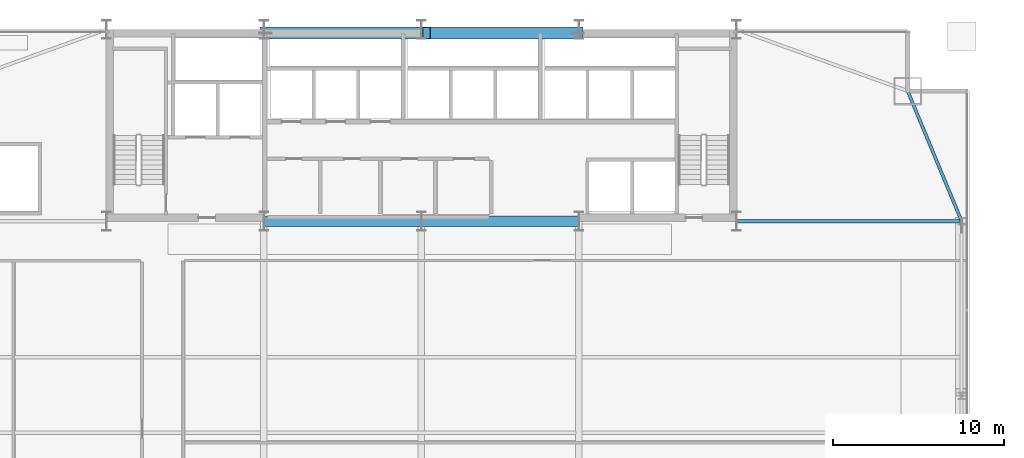
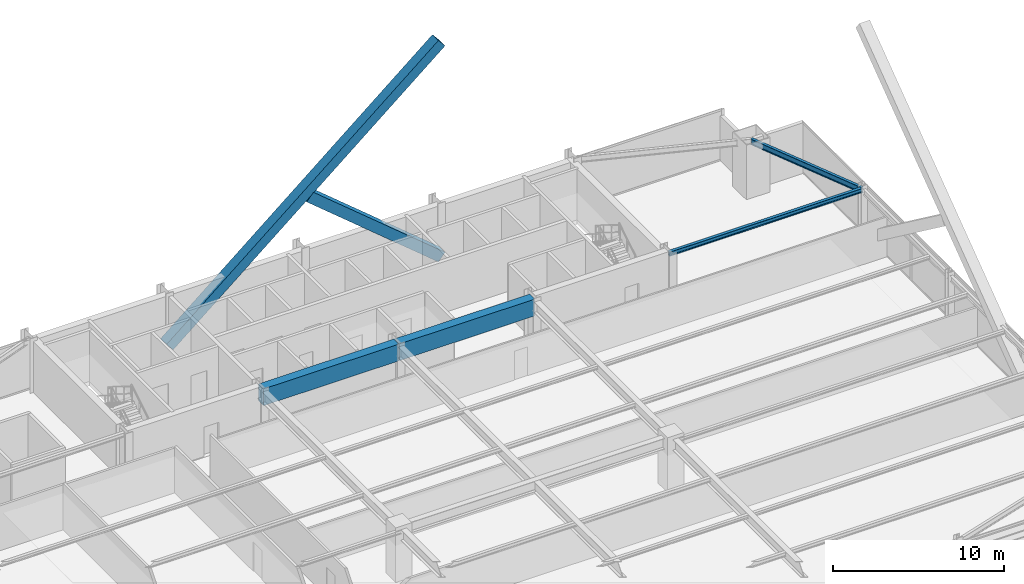
# One storey, part 20 of 34: 4 beams, 2 members.
"""IFC4 building model written with IfcOpenShell, lengths in metres."""

import ifcopenshell
import ifcopenshell.guid

model = None  # the IFC model being written
_history = None  # IfcOwnerHistory: only IFC2X3 demands one
_inside = {}  # id of a spatial element -> (the spatial element, [elements in it])
_under = {}  # id of a project, library or spatial element -> (it, [spatial elements below it])
_declared = {}  # id of a project -> (the project, [libraries it declares])
_typed = {}  # id of a type object -> (the type object, [elements of that type])
_made_of = {}  # id of a material, layer set ... -> (it, [elements and type objects made of it])


def new_model(schema):
    """Start an empty IFC model of exactly this schema.

    Asked for "IFC4X3", IfcOpenShell would pick the latest addendum, in which some entities
    have other attributes; the version numbers below select the first issue.
    IFC2X3 requires an IfcOwnerHistory on every rooted entity: one is made here for all.
    """
    global model, _history
    if schema == "IFC4X3":
        model = ifcopenshell.file(schema_version=(4, 3, 0, 0))
    else:
        model = ifcopenshell.file(schema=schema)
    _inside.clear()
    _under.clear()
    _declared.clear()
    _typed.clear()
    _made_of.clear()
    _history = None
    if model.schema == "IFC2X3":
        org = make("IfcOrganization", Name="unknown")
        user = make(
            "IfcPersonAndOrganization",
            ThePerson=make("IfcPerson", FamilyName="unknown"),
            TheOrganization=org,
        )
        app = make(
            "IfcApplication",
            ApplicationDeveloper=org,
            Version="unknown",
            ApplicationFullName="unknown",
            ApplicationIdentifier="unknown",
        )
        _history = make(
            "IfcOwnerHistory",
            OwningUser=user,
            OwningApplication=app,
            ChangeAction="ADDED",
            CreationDate=0,
        )
    return model


def make(cls, **values):
    """One entity of the class cls with the attributes given. An attribute that is None is left unset."""
    return model.create_entity(
        cls, **{name: value for name, value in values.items() if value is not None}
    )


def rooted(cls, **values):
    """An entity with a GlobalId (a new one), such as an element, a storey or a relation."""
    return make(cls, GlobalId=ifcopenshell.guid.new(), OwnerHistory=_history, **values)


def si_unit(unit_type, name, prefix=None):
    """IfcSIUnit, for example si_unit("LENGTHUNIT", "METRE", prefix="MILLI")."""
    return make("IfcSIUnit", UnitType=unit_type, Prefix=prefix, Name=name)


def assignment(units):
    """IfcUnitAssignment: the units of a project."""
    return None if units is None else make("IfcUnitAssignment", Units=units)


def point(xyz):
    """IfcCartesianPoint."""
    return None if xyz is None else make("IfcCartesianPoint", Coordinates=xyz)


def direction(xyz):
    """IfcDirection."""
    return None if xyz is None else make("IfcDirection", DirectionRatios=xyz)


def frame(location, z_axis=None, x_axis=None):
    """IfcAxis2Placement3D, a coordinate frame: its origin and axes. An axis left out is left unset."""
    return make(
        "IfcAxis2Placement3D",
        Location=point(location),
        Axis=direction(z_axis),
        RefDirection=direction(x_axis),
    )


def frame_2d(location, x_axis=None):
    """IfcAxis2Placement2D, a coordinate frame in the plane: its origin and x axis."""
    return make(
        "IfcAxis2Placement2D", Location=point(location), RefDirection=direction(x_axis)
    )


def origin():
    """The frame at (0, 0, 0) with its axes left unset."""
    return frame((0.0, 0.0, 0.0))


def origin_2d():
    """The frame at (0, 0) in the plane with its x axis left unset."""
    return frame_2d((0.0, 0.0))


def place(relative_to, where):
    """IfcLocalPlacement: puts the frame where relative to a parent placement (None: the world)."""
    return make(
        "IfcLocalPlacement", PlacementRelTo=relative_to, RelativePlacement=where
    )


def context(
    kind, dimensions, precision=None, world=None, true_north=None, identifier=None
):
    """IfcGeometricRepresentationContext, for example the 3D "Model" context."""
    return make(
        "IfcGeometricRepresentationContext",
        ContextIdentifier=identifier,
        ContextType=kind,
        CoordinateSpaceDimension=dimensions,
        Precision=precision,
        WorldCoordinateSystem=world,
        TrueNorth=true_north,
    )


def subcontext(parent, identifier, kind, view, scale=None):
    """IfcGeometricRepresentationSubContext, for example "Body" below "Model"."""
    return make(
        "IfcGeometricRepresentationSubContext",
        ContextIdentifier=identifier,
        ContextType=kind,
        ParentContext=parent,
        TargetScale=scale,
        TargetView=view,
    )


def project(units=None, contexts=None):
    """IfcProject with its units and contexts."""
    return rooted(
        "IfcProject",
        Name="project",
        RepresentationContexts=contexts,
        UnitsInContext=assignment(units),
    )


def spatial(cls, under=None, at=None, **own):
    """A site, building, storey or space (cls), placed at a placement, below another one or the project."""
    s = rooted(cls, ObjectPlacement=at, **own)
    if under is not None:
        _under.setdefault(under.id(), (under, []))[1].append(s)
    return s


def profile(cls, at=None, kind="AREA", **sizes):
    """A parametric profile (cls). Its sizes go by their IFC names, for example OverallWidth=200.0."""
    return make(cls, ProfileType=kind, Position=at, **sizes)


def rectangle(**sizes):
    """IfcRectangleProfileDef."""
    return profile("IfcRectangleProfileDef", **sizes)


def hollow_rectangle(**sizes):
    """IfcRectangleHollowProfileDef."""
    return profile("IfcRectangleHollowProfileDef", **sizes)


def i_section(**sizes):
    """IfcIShapeProfileDef."""
    return profile("IfcIShapeProfileDef", **sizes)


def extrude(swept, where, along, depth):
    """IfcExtrudedAreaSolid: the profile swept, set in the frame where, extruded along a direction by depth."""
    return make(
        "IfcExtrudedAreaSolid",
        SweptArea=swept,
        Position=where,
        ExtrudedDirection=direction(along),
        Depth=depth,
    )


def shape(context_of_items, identifier, shape_type, items):
    """IfcShapeRepresentation: the items that make up one representation, for example the "Body"."""
    return make(
        "IfcShapeRepresentation",
        ContextOfItems=context_of_items,
        RepresentationIdentifier=identifier,
        RepresentationType=shape_type,
        Items=items,
    )


def source(mapping_origin, context_of_items, identifier, shape_type, items):
    """IfcRepresentationMap: a shape defined once, which mapped items show again and again."""
    return make(
        "IfcRepresentationMap",
        MappingOrigin=mapping_origin,
        MappedRepresentation=shape(context_of_items, identifier, shape_type, items),
    )


def transform(
    local_origin,
    x_axis=None,
    y_axis=None,
    z_axis=None,
    scale=None,
    scale2=None,
    scale3=None,
    uniform=True,
):
    """IfcCartesianTransformationOperator3D, or its non-uniform kind. x_axis, y_axis, z_axis: its Axis1, 2, 3."""
    if uniform:
        return make(
            "IfcCartesianTransformationOperator3D",
            Axis1=direction(x_axis),
            Axis2=direction(y_axis),
            LocalOrigin=point(local_origin),
            Scale=scale,
            Axis3=direction(z_axis),
        )
    return make(
        "IfcCartesianTransformationOperator3DnonUniform",
        Axis1=direction(x_axis),
        Axis2=direction(y_axis),
        LocalOrigin=point(local_origin),
        Scale=scale,
        Axis3=direction(z_axis),
        Scale2=scale2,
        Scale3=scale3,
    )


def mapped(mapping_source, mapping_target):
    """IfcMappedItem: shows the shape of a source again, moved by a transform."""
    return make(
        "IfcMappedItem", MappingSource=mapping_source, MappingTarget=mapping_target
    )


def material(Name=None, Category=None):
    """IfcMaterial."""
    return make("IfcMaterial", Name=Name, Category=Category)


def material_profile(
    of_material, cross_section, Name=None, Category=None, Priority=None
):
    """IfcMaterialProfile: a cross section and its material."""
    return make(
        "IfcMaterialProfile",
        Name=Name,
        Material=of_material,
        Profile=cross_section,
        Priority=Priority,
        Category=Category,
    )


def profile_set(profiles, Name=None, composite=None):
    """IfcMaterialProfileSet."""
    return make(
        "IfcMaterialProfileSet",
        Name=Name,
        MaterialProfiles=profiles,
        CompositeProfile=composite,
    )


def made_of(thing, what):
    """Note that an element or type object is made of a material, layer set ...; save() writes the relation."""
    if what is not None:
        _made_of.setdefault(what.id(), (what, []))[1].append(thing)
    return thing


def type_object(cls, material=None, **own):
    """A type object (cls), such as IfcWallType, which elements share."""
    return made_of(rooted(cls, **own), material)


def type_shapes(of_type, sources):
    """Give a type object the sources (RepresentationMaps) that its elements show as mapped items."""
    of_type.RepresentationMaps = sources


def element(
    cls,
    number,
    at=None,
    inside=None,
    cuts=None,
    type_object=None,
    material=None,
    context=None,
    identifier="Body",
    shape_type=None,
    held_by="IfcProductDefinitionShape",
    body=None,
    shapes=None,
    **own,
):
    """One element of the class cls, such as IfcWall. Its Tag is "e" and its number.

    at: its placement. inside: the storey or other place that contains it. cuts: it is an
    opening in that element (IfcRelVoidsElement). A single representation is given by context,
    identifier, shape_type and body (its items); several are given by shapes. held_by: the class
    of the entity that holds the representations. save() writes the other relations.
    """
    e = rooted(cls, Tag="e%d" % number, ObjectPlacement=at, **own)
    if body is not None:
        shapes = [shape(context, identifier, shape_type, body)]
    if shapes is not None:
        e.Representation = make(held_by, Representations=shapes)
    if inside is not None:
        _inside.setdefault(inside.id(), (inside, []))[1].append(e)
    if cuts is not None:
        rooted(
            "IfcRelVoidsElement", RelatingBuildingElement=cuts, RelatedOpeningElement=e
        )
    if type_object is not None:
        _typed.setdefault(type_object.id(), (type_object, []))[1].append(e)
    return made_of(e, material)


def aggregate(whole, parts):
    """IfcRelAggregates: a whole, such as a stair, and the parts it consists of."""
    return rooted("IfcRelAggregates", RelatingObject=whole, RelatedObjects=parts)


def save(model, path):
    """Write the relations noted so far, then the file.

    IfcRelAggregates (storeys below a building ...), IfcRelContainedInSpatialStructure (elements
    in a storey), IfcRelDefinesByType, IfcRelAssociatesMaterial and IfcRelDeclares: one each for
    every whole, place, type object, material and project.
    """
    for whole, parts in _under.values():
        aggregate(whole, parts)
    for where, things in _inside.values():
        rooted(
            "IfcRelContainedInSpatialStructure",
            RelatedElements=things,
            RelatingStructure=where,
        )
    for kind, things in _typed.values():
        rooted("IfcRelDefinesByType", RelatedObjects=things, RelatingType=kind)
    for what, things in _made_of.values():
        rooted("IfcRelAssociatesMaterial", RelatedObjects=things, RelatingMaterial=what)
    for by, libraries in _declared.values():
        rooted("IfcRelDeclares", RelatingContext=by, RelatedDefinitions=libraries)
    model.write(path)


model = new_model("IFC4")

# Units and contexts
model_context = context("Model", 3, precision=1e-05, world=origin(), true_north=direction((0.0, 1.0)))
body_context = subcontext(model_context, "Body", "Model", "MODEL_VIEW")
ifc_project = project(units=[si_unit("LENGTHUNIT", "METRE"), si_unit("AREAUNIT", "SQUARE_METRE"), si_unit("VOLUMEUNIT", "CUBIC_METRE"), si_unit("PLANEANGLEUNIT", "RADIAN"), si_unit("MASSUNIT", "GRAM", prefix="KILO")], contexts=[model_context])

# Site, building, storey
site_placement = place(None, origin())
site = spatial("IfcSite", under=ifc_project, at=site_placement, CompositionType="ELEMENT")
building_placement = place(site_placement, origin())
building = spatial("IfcBuilding", under=site, at=building_placement, Name="Varnel Quay Broadcast Tower", CompositionType="ELEMENT")
storey_placement = place(building_placement, frame((0.0, 0.0, 27.60009765625)))
storey = spatial("IfcBuildingStorey", under=building, at=storey_placement, Name="L05", CompositionType="ELEMENT", Elevation=27.60009765625)

# Beams
ifc_material_1 = material(Name="Structural Steel CSA G40.21 350W", Category="steel")
ifc_material_profile_1 = material_profile(ifc_material_1, i_section(OverallWidth=0.180908203125, OverallDepth=0.4169921875, WebThickness=0.010986328125, FlangeThickness=0.018310546875, FilletRadius=0.011962890625, at=origin_2d()), Name="W410X85")
ifc_profile_set_1 = profile_set([ifc_material_profile_1], Name="Structural Steel CSA G40.21 350W")
beam_type_1 = type_object("IfcBeamType", Name="Beam_W410X85", PredefinedType="SPANDREL", material=ifc_profile_set_1)
shared_shape_1 = source(origin(), body_context, "Body", "SweptSolid", [
    extrude(i_section(OverallWidth=0.180908203125, OverallDepth=0.4169921875, WebThickness=0.010986328125, FlangeThickness=0.018310546875, FilletRadius=0.011962890625, at=origin_2d()), origin(), (0.0, 0.0, 1.0), 8.186767578125),
])
type_shapes(beam_type_1, [shared_shape_1])
beam_1_placement = place(storey_placement, frame((65.542236328125, 35.618408203125, 3.44140625), z_axis=(-0.382874132092, 0.923800519038, 0.0), x_axis=(-0.923800519038, -0.382874132092, 0.0)))
element("IfcBeam", 1, at=beam_1_placement, inside=storey, type_object=beam_type_1, Name="L05 East Spandrel TC-E3-MC-NE", PredefinedType="SPANDREL", context=body_context, shape_type="MappedRepresentation", body=[
    mapped(shared_shape_1, transform((0.0, 0.0, 0.0), x_axis=(1.0, 0.0, 0.0), y_axis=(0.0, 1.0, 0.0), z_axis=(0.0, 0.0, 1.0), scale=1.0)),
])
ifc_material_2 = material(Name="Concrete CSA A23.3 C60/75", Category="concrete")
ifc_material_profile_2 = material_profile(ifc_material_2, rectangle(XDim=0.60009765625, YDim=1.199951171875, at=origin_2d()), Name="RC600X1200")
ifc_profile_set_2 = profile_set([ifc_material_profile_2], Name="Concrete CSA A23.3 C60/75")
beam_type_2 = type_object("IfcBeamType", Name="Beam_RC600X1200", PredefinedType="BEAM", material=ifc_profile_set_2)
shared_shape_2 = source(origin(), body_context, "Body", "SweptSolid", [
    extrude(rectangle(XDim=0.60009765625, YDim=1.199951171875, at=origin_2d()), origin(), (0.0, 0.0, 1.0), 9.159912109375),
])
type_shapes(beam_type_2, [shared_shape_2])
for number, where, z_axis, x_axis, name in (
    (2, (24.820068359375, 35.60009765625, 3.0498046875), (1.0, 0.0, 0.0), (0.0, 1.0, 0.0), "L05 Core Coupling Beam W"),
    (3, (34.02001953125, 35.60009765625, 3.0498046875), (1.0, 0.0, 0.0), (0.0, 1.0, 0.0), "L05 Core Coupling Beam E"),
):
    element("IfcBeam", number, at=place(storey_placement, frame(where, z_axis=z_axis, x_axis=x_axis)), inside=storey, type_object=beam_type_2, Name=name, PredefinedType="BEAM", context=body_context, shape_type="MappedRepresentation", body=[
        mapped(shared_shape_2, transform((0.0, 0.0, 0.0), x_axis=(1.0, 0.0, 0.0), y_axis=(0.0, 1.0, 0.0), z_axis=(0.0, 0.0, 1.0), scale=1.0)),
    ])
ifc_material_profile_3 = material_profile(ifc_material_1, i_section(OverallWidth=0.202880859375, OverallDepth=0.302978515625, WebThickness=0.007568359375, FlangeThickness=0.01318359375, FilletRadius=0.011962890625, at=origin_2d()), Name="W310X60")
ifc_profile_set_3 = profile_set([ifc_material_profile_3], Name="Structural Steel CSA G40.21 350W")
beam_type_3 = type_object("IfcBeamType", Name="Beam_W310X60", PredefinedType="JOIST", material=ifc_profile_set_3)
shared_shape_3 = source(origin(), body_context, "Body", "SweptSolid", [
    extrude(i_section(OverallWidth=0.202880859375, OverallDepth=0.302978515625, WebThickness=0.007568359375, FlangeThickness=0.01318359375, FilletRadius=0.011962890625, at=origin_2d()), origin(), (0.0, 0.0, 1.0), 13.110107421875),
])
type_shapes(beam_type_3, [shared_shape_3])
beam_2_placement = place(storey_placement, frame((52.419921875, 35.60009765625, 3.498291015625), z_axis=(1.0, 0.0, 0.0), x_axis=(0.0, 1.0, 0.0)))
element("IfcBeam", 4, at=beam_2_placement, inside=storey, type_object=beam_type_3, Name="L05 East Core Tie Joist", PredefinedType="JOIST", context=body_context, shape_type="MappedRepresentation", body=[
    mapped(shared_shape_3, transform((0.0, 0.0, 0.0), x_axis=(1.0, 0.0, 0.0), y_axis=(0.0, 1.0, 0.0), z_axis=(0.0, 0.0, 1.0), scale=1.0)),
])

# Members
ifc_material_3 = material(Name="Structural Steel CSA G40.21 350WT", Category="steel")
ifc_material_profile_4 = material_profile(ifc_material_3, hollow_rectangle(XDim=0.699951171875, YDim=0.699951171875, WallThickness=0.031982421875, at=origin_2d()), Name="BOX700X700X32")
ifc_profile_set_4 = profile_set([ifc_material_profile_4], Name="Structural Steel CSA G40.21 350WT")
member_type = type_object("IfcMemberType", Name="Brace_BOX700X700X32", PredefinedType="BRACE", material=ifc_profile_set_4)
shared_shape_4 = source(origin(), body_context, "Body", "SweptSolid", [
    extrude(hollow_rectangle(XDim=0.699951171875, YDim=0.699951171875, WallThickness=0.031982421875, at=origin_2d()), origin(), (0.0, 0.0, 1.0), 23.936279296875),
])
member_1_placement = place(storey_placement, frame((24.800048828125, 46.580078125, 0.02001953125), z_axis=(0.76870261687, 0.0, 0.639606353015), x_axis=(0.0, 1.0, 0.0)))
element("IfcMember", 5, at=member_1_placement, inside=storey, type_object=member_type, Name="Zone 1 Mega-Brace N-CT1 Continuous Diag A", PredefinedType="BRACE", context=body_context, shape_type="MappedRepresentation", body=[
    mapped(shared_shape_4, transform((0.0, 0.0, 0.0), x_axis=(1.0, 0.0, 0.0), y_axis=(0.0, 1.0, 0.0), z_axis=(0.0, 0.0, 1.0), scale=1.0)),
])
shared_shape_5 = source(origin(), body_context, "Body", "SweptSolid", [
    extrude(hollow_rectangle(XDim=0.699951171875, YDim=0.699951171875, WallThickness=0.031982421875, at=origin_2d()), origin(), (0.0, 0.0, 1.0), 11.58740234375),
])
type_shapes(member_type, [shared_shape_4, shared_shape_5])
member_2_placement = place(storey_placement, frame((43.199951171875, 46.580078125, 0.02001953125), z_axis=(-0.768701172799, 0.0, 0.63960808855), x_axis=(0.0, -1.0, 0.0)))
element("IfcMember", 6, at=member_2_placement, inside=storey, type_object=member_type, Name="Zone 1 Mega-Brace N-CT1 Split Diag B1", PredefinedType="BRACE", context=body_context, shape_type="MappedRepresentation", body=[
    mapped(shared_shape_5, transform((0.0, 0.0, 0.0), x_axis=(1.0, 0.0, 0.0), y_axis=(0.0, 1.0, 0.0), z_axis=(0.0, 0.0, 1.0), scale=1.0)),
])

save(model, "model.ifc")
